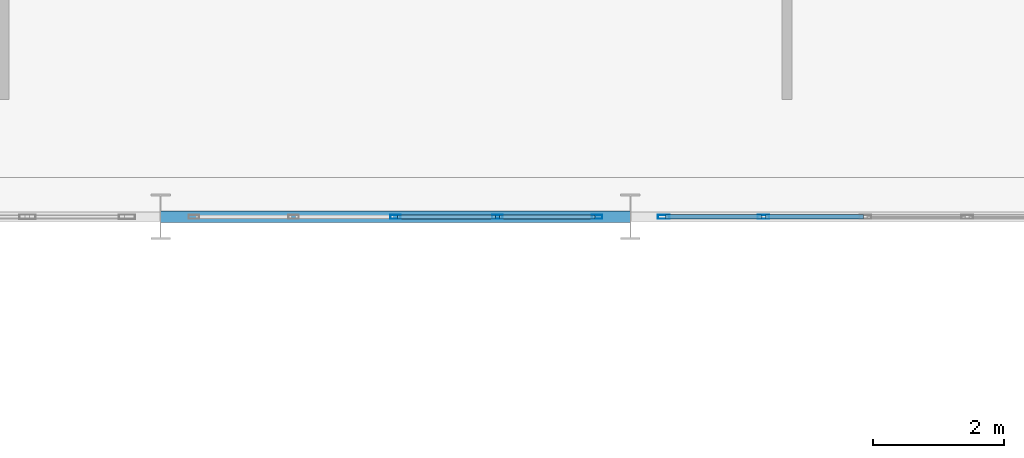
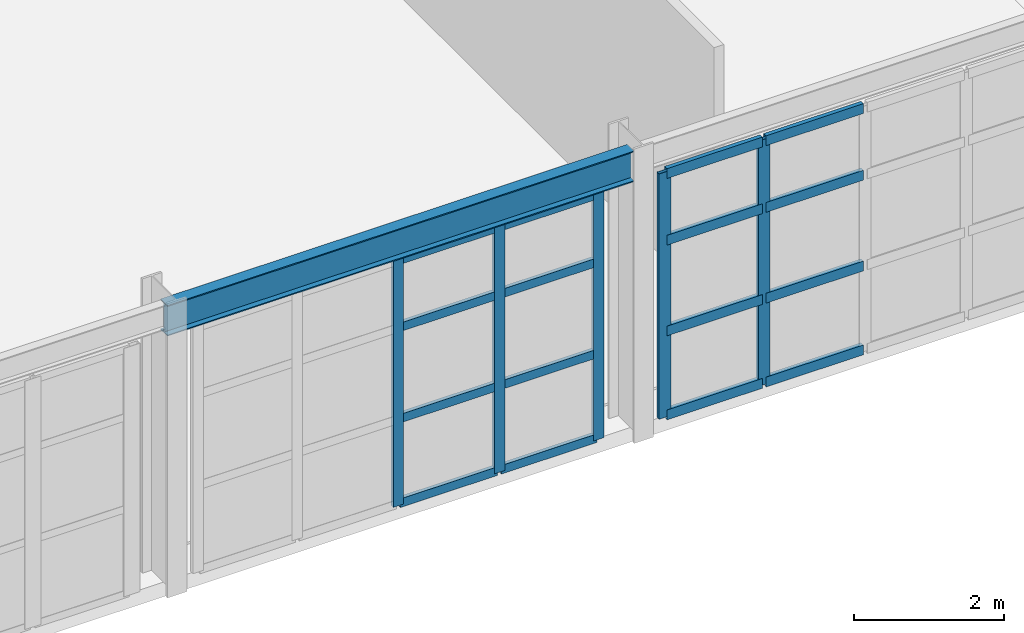
# One storey, part 36 of 126: 21 members, 1 beam, 2 elements without a shape of their own.
"""IFC4 building model written with IfcOpenShell, lengths in metres."""

from ifc_helpers import new_model, si_unit, direction, frame, origin, origin_2d, place, context, subcontext, project, spatial, hollow_rectangle, i_section, extrude, material, layer, layer_set, material_profile, profile_set, type_object, element, aggregate, save


model = new_model("IFC4")

# Units and contexts
model_context = context("Model", 3, precision=1e-05, world=origin(), true_north=direction((0.0, 1.0)))
body_context = subcontext(model_context, "Body", "Model", "MODEL_VIEW")
ifc_project = project(units=[si_unit("LENGTHUNIT", "METRE"), si_unit("AREAUNIT", "SQUARE_METRE"), si_unit("VOLUMEUNIT", "CUBIC_METRE"), si_unit("PLANEANGLEUNIT", "RADIAN"), si_unit("MASSUNIT", "GRAM", prefix="KILO")], contexts=[model_context])

# Site, building, storey
site_placement = place(None, origin())
site = spatial("IfcSite", under=ifc_project, at=site_placement, CompositionType="ELEMENT")
building_placement = place(site_placement, origin())
building = spatial("IfcBuilding", under=site, at=building_placement, Name="Solvadek Multi-Sports Hall", CompositionType="ELEMENT")
storey_placement = place(building_placement, frame((0.0, 0.0, 9.60009765625)))
storey = spatial("IfcBuildingStorey", under=building, at=storey_placement, Name="L02", CompositionType="ELEMENT", Elevation=9.60009765625)

# Curtain wall, members
ifc_material_1 = material(Name="Anodised aluminium", Category="aluminium")
ifc_layer_1 = layer(ifc_material_1, 0.159912109375, Name="Anodised aluminium")
ifc_layer_set_1 = layer_set([ifc_layer_1], Name="Anodised aluminium")
curtain_wall_type_1 = type_object("IfcCurtainWallType", Name="ENV-CW-624X403", PredefinedType="USERDEFINED", material=ifc_layer_set_1)
curtain_wall_1_placement = place(storey_placement, origin())
curtain_wall_1 = element("IfcCurtainWall", 1, at=curtain_wall_1_placement, inside=storey, type_object=curtain_wall_type_1, Name="L02 Perimeter Bay Curtain Wall #167", ObjectType="CURTAIN WALL", PredefinedType="USERDEFINED")
ifc_material_profile_1 = material_profile(ifc_material_1, hollow_rectangle(XDim=0.06005859375, YDim=0.159912109375, WallThickness=0.00390625, at=origin_2d()), Name="ALU-M 160x60x4")
ifc_profile_set_1 = profile_set([ifc_material_profile_1], Name="Anodised aluminium")
member_type_1 = type_object("IfcMemberType", Name="ENV-CWM-01", PredefinedType="MULLION", material=ifc_profile_set_1)
member_1_placement = place(storey_placement, frame((39.60009765625, 49.199951171875, 0.0), z_axis=(0.0, 0.0, 1.0), x_axis=(0.0, 1.0, 0.0)))
member_1 = element("IfcMember", 2, at=member_1_placement, type_object=member_type_1, Name="CW-43 mullion 3", PredefinedType="MULLION", context=body_context, shape_type="SweptSolid", body=[
    extrude(hollow_rectangle(XDim=0.06005859375, YDim=0.159912109375, WallThickness=0.00390625, at=origin_2d()), origin(), (0.0, 0.0, 1.0), 4.02490234375),
])
member_2_placement = place(storey_placement, frame((41.159912109375, 49.199951171875, 0.0), z_axis=(0.0, 0.0, 1.0), x_axis=(0.0, 1.0, 0.0)))
member_2 = element("IfcMember", 3, at=member_2_placement, type_object=member_type_1, Name="CW-43 mullion 4", PredefinedType="MULLION", context=body_context, shape_type="SweptSolid", body=[
    extrude(hollow_rectangle(XDim=0.06005859375, YDim=0.159912109375, WallThickness=0.00390625, at=origin_2d()), origin(), (0.0, 0.0, 1.0), 4.02490234375),
])
member_3_placement = place(storey_placement, frame((42.68994140625, 49.199951171875, 0.0), z_axis=(0.0, 0.0, 1.0), x_axis=(0.0, 1.0, 0.0)))
member_3 = element("IfcMember", 4, at=member_3_placement, type_object=member_type_1, Name="CW-43 mullion 5", PredefinedType="MULLION", context=body_context, shape_type="SweptSolid", body=[
    extrude(hollow_rectangle(XDim=0.06005859375, YDim=0.159912109375, WallThickness=0.00390625, at=origin_2d()), origin(), (0.0, 0.0, 1.0), 4.02490234375),
])

ifc_layer_2 = layer(ifc_material_1, 0.159912109375, Name="Anodised aluminium")
ifc_layer_set_2 = layer_set([ifc_layer_2], Name="Anodised aluminium")
curtain_wall_type_2 = type_object("IfcCurtainWallType", Name="ENV-CW-624X400", PredefinedType="USERDEFINED", material=ifc_layer_set_2)
curtain_wall_2_placement = place(storey_placement, origin())
curtain_wall_2 = element("IfcCurtainWall", 5, at=curtain_wall_2_placement, inside=storey, type_object=curtain_wall_type_2, Name="L02 Perimeter Bay Curtain Wall #173", ObjectType="CURTAIN WALL", PredefinedType="USERDEFINED")
ifc_material_profile_2 = material_profile(ifc_material_1, hollow_rectangle(XDim=0.06005859375, YDim=0.179931640625, WallThickness=0.00390625, at=origin_2d()), Name="ALU-M 180x60x4")
ifc_profile_set_2 = profile_set([ifc_material_profile_2], Name="Anodised aluminium")
member_type_2 = type_object("IfcMemberType", Name="ENV-CWM-02", PredefinedType="MULLION", material=ifc_profile_set_2)
member_4_placement = place(storey_placement, frame((43.7099609375, 49.199951171875, 0.0), z_axis=(0.0, 0.0, 1.0), x_axis=(0.0, 1.0, 0.0)))
member_4 = element("IfcMember", 6, at=member_4_placement, type_object=member_type_2, Name="CW-56 mullion 1", PredefinedType="MULLION", context=body_context, shape_type="SweptSolid", body=[
    extrude(hollow_rectangle(XDim=0.06005859375, YDim=0.179931640625, WallThickness=0.00390625, at=origin_2d()), origin(), (0.0, 0.0, 1.0), 4.0),
])
member_5_placement = place(storey_placement, frame((45.239990234375, 49.199951171875, 0.0), z_axis=(0.0, 0.0, 1.0), x_axis=(0.0, 1.0, 0.0)))
member_5 = element("IfcMember", 7, at=member_5_placement, type_object=member_type_2, Name="CW-56 mullion 2", PredefinedType="MULLION", context=body_context, shape_type="SweptSolid", body=[
    extrude(hollow_rectangle(XDim=0.06005859375, YDim=0.179931640625, WallThickness=0.00390625, at=origin_2d()), origin(), (0.0, 0.0, 1.0), 4.0),
])

# Member
ifc_material_profile_3 = material_profile(ifc_material_1, hollow_rectangle(XDim=0.06005859375, YDim=0.139892578125, WallThickness=0.00390625, at=origin_2d()), Name="ALU-T 140x60x4")
ifc_profile_set_3 = profile_set([ifc_material_profile_3], Name="Anodised aluminium")
member_type_3 = type_object("IfcMemberType", Name="ENV-CWT-02", PredefinedType="USERDEFINED", material=ifc_profile_set_3)
member_6_placement = place(storey_placement, frame((39.6298828125, 49.199951171875, 0.02978515625), z_axis=(1.0, 0.0, 0.0), x_axis=(0.0, 1.0, 0.0)))
member_6 = element("IfcMember", 8, at=member_6_placement, type_object=member_type_3, Name="CW-43 transom 3.1", ObjectType="TRANSOM", PredefinedType="USERDEFINED", context=body_context, shape_type="SweptSolid", body=[
    extrude(hollow_rectangle(XDim=0.06005859375, YDim=0.139892578125, WallThickness=0.00390625, at=origin_2d()), origin(), (0.0, 0.0, 1.0), 1.5),
])

member_7_placement = place(storey_placement, frame((39.6298828125, 49.199951171875, 1.408935546875), z_axis=(1.0, 0.0, 0.0), x_axis=(0.0, 1.0, 0.0)))
member_7 = element("IfcMember", 9, at=member_7_placement, type_object=member_type_3, Name="CW-43 transom 3.2", ObjectType="TRANSOM", PredefinedType="USERDEFINED", context=body_context, shape_type="SweptSolid", body=[
    extrude(hollow_rectangle(XDim=0.06005859375, YDim=0.139892578125, WallThickness=0.00390625, at=origin_2d()), origin(), (0.0, 0.0, 1.0), 1.5),
])

member_8_placement = place(storey_placement, frame((39.6298828125, 49.199951171875, 2.89794921875), z_axis=(1.0, 0.0, 0.0), x_axis=(0.0, 1.0, 0.0)))
member_8 = element("IfcMember", 10, at=member_8_placement, type_object=member_type_3, Name="CW-43 transom 3.3", ObjectType="TRANSOM", PredefinedType="USERDEFINED", context=body_context, shape_type="SweptSolid", body=[
    extrude(hollow_rectangle(XDim=0.06005859375, YDim=0.139892578125, WallThickness=0.00390625, at=origin_2d()), origin(), (0.0, 0.0, 1.0), 1.5),
])

member_9_placement = place(storey_placement, frame((39.6298828125, 49.199951171875, 3.994873046875), z_axis=(1.0, 0.0, 0.0), x_axis=(0.0, 1.0, 0.0)))
member_9 = element("IfcMember", 11, at=member_9_placement, type_object=member_type_3, Name="CW-43 transom 3.4", ObjectType="TRANSOM", PredefinedType="USERDEFINED", context=body_context, shape_type="SweptSolid", body=[
    extrude(hollow_rectangle(XDim=0.06005859375, YDim=0.139892578125, WallThickness=0.00390625, at=origin_2d()), origin(), (0.0, 0.0, 1.0), 1.5),
])

member_10_placement = place(storey_placement, frame((41.18994140625, 49.199951171875, 0.02978515625), z_axis=(1.0, 0.0, 0.0), x_axis=(0.0, 1.0, 0.0)))
member_10 = element("IfcMember", 12, at=member_10_placement, type_object=member_type_3, Name="CW-43 transom 4.1", ObjectType="TRANSOM", PredefinedType="USERDEFINED", context=body_context, shape_type="SweptSolid", body=[
    extrude(hollow_rectangle(XDim=0.06005859375, YDim=0.139892578125, WallThickness=0.00390625, at=origin_2d()), origin(), (0.0, 0.0, 1.0), 1.469970703125),
])

member_11_placement = place(storey_placement, frame((41.18994140625, 49.199951171875, 1.408935546875), z_axis=(1.0, 0.0, 0.0), x_axis=(0.0, 1.0, 0.0)))
member_11 = element("IfcMember", 13, at=member_11_placement, type_object=member_type_3, Name="CW-43 transom 4.2", ObjectType="TRANSOM", PredefinedType="USERDEFINED", context=body_context, shape_type="SweptSolid", body=[
    extrude(hollow_rectangle(XDim=0.06005859375, YDim=0.139892578125, WallThickness=0.00390625, at=origin_2d()), origin(), (0.0, 0.0, 1.0), 1.469970703125),
])

member_12_placement = place(storey_placement, frame((41.18994140625, 49.199951171875, 2.89794921875), z_axis=(1.0, 0.0, 0.0), x_axis=(0.0, 1.0, 0.0)))
member_12 = element("IfcMember", 14, at=member_12_placement, type_object=member_type_3, Name="CW-43 transom 4.3", ObjectType="TRANSOM", PredefinedType="USERDEFINED", context=body_context, shape_type="SweptSolid", body=[
    extrude(hollow_rectangle(XDim=0.06005859375, YDim=0.139892578125, WallThickness=0.00390625, at=origin_2d()), origin(), (0.0, 0.0, 1.0), 1.469970703125),
])

member_13_placement = place(storey_placement, frame((41.18994140625, 49.199951171875, 3.994873046875), z_axis=(1.0, 0.0, 0.0), x_axis=(0.0, 1.0, 0.0)))
member_13 = element("IfcMember", 15, at=member_13_placement, type_object=member_type_3, Name="CW-43 transom 4.4", ObjectType="TRANSOM", PredefinedType="USERDEFINED", context=body_context, shape_type="SweptSolid", body=[
    extrude(hollow_rectangle(XDim=0.06005859375, YDim=0.139892578125, WallThickness=0.00390625, at=origin_2d()), origin(), (0.0, 0.0, 1.0), 1.469970703125),
])

aggregate(curtain_wall_1, [member_1, member_2, member_3, member_6, member_7, member_8, member_9, member_10, member_11, member_12, member_13])

ifc_material_profile_4 = material_profile(ifc_material_1, hollow_rectangle(XDim=0.06494140625, YDim=0.159912109375, WallThickness=0.00390625, at=origin_2d()), Name="ALU-T 160x65x4")
ifc_profile_set_4 = profile_set([ifc_material_profile_4], Name="Anodised aluminium")
member_type_4 = type_object("IfcMemberType", Name="ENV-CWT-03", PredefinedType="USERDEFINED", material=ifc_profile_set_4)
member_14_placement = place(storey_placement, frame((43.739990234375, 49.199951171875, 0.032470703125), z_axis=(1.0, 0.0, 0.0), x_axis=(0.0, 1.0, 0.0)))
member_14 = element("IfcMember", 16, at=member_14_placement, type_object=member_type_4, Name="CW-56 transom 1.1", ObjectType="TRANSOM", PredefinedType="USERDEFINED", context=body_context, shape_type="SweptSolid", body=[
    extrude(hollow_rectangle(XDim=0.06494140625, YDim=0.159912109375, WallThickness=0.00390625, at=origin_2d()), origin(), (0.0, 0.0, 1.0), 1.469970703125),
])

member_15_placement = place(storey_placement, frame((43.739990234375, 49.199951171875, 1.39990234375), z_axis=(1.0, 0.0, 0.0), x_axis=(0.0, 1.0, 0.0)))
member_15 = element("IfcMember", 17, at=member_15_placement, type_object=member_type_4, Name="CW-56 transom 1.2", ObjectType="TRANSOM", PredefinedType="USERDEFINED", context=body_context, shape_type="SweptSolid", body=[
    extrude(hollow_rectangle(XDim=0.06494140625, YDim=0.159912109375, WallThickness=0.00390625, at=origin_2d()), origin(), (0.0, 0.0, 1.0), 1.469970703125),
])

member_16_placement = place(storey_placement, frame((43.739990234375, 49.199951171875, 2.8798828125), z_axis=(1.0, 0.0, 0.0), x_axis=(0.0, 1.0, 0.0)))
member_16 = element("IfcMember", 18, at=member_16_placement, type_object=member_type_4, Name="CW-56 transom 1.3", ObjectType="TRANSOM", PredefinedType="USERDEFINED", context=body_context, shape_type="SweptSolid", body=[
    extrude(hollow_rectangle(XDim=0.06494140625, YDim=0.159912109375, WallThickness=0.00390625, at=origin_2d()), origin(), (0.0, 0.0, 1.0), 1.469970703125),
])

member_17_placement = place(storey_placement, frame((43.739990234375, 49.199951171875, 3.96728515625), z_axis=(1.0, 0.0, 0.0), x_axis=(0.0, 1.0, 0.0)))
member_17 = element("IfcMember", 19, at=member_17_placement, type_object=member_type_4, Name="CW-56 transom 1.4", ObjectType="TRANSOM", PredefinedType="USERDEFINED", context=body_context, shape_type="SweptSolid", body=[
    extrude(hollow_rectangle(XDim=0.06494140625, YDim=0.159912109375, WallThickness=0.00390625, at=origin_2d()), origin(), (0.0, 0.0, 1.0), 1.469970703125),
])

member_18_placement = place(storey_placement, frame((45.27001953125, 49.199951171875, 0.032470703125), z_axis=(1.0, 0.0, 0.0), x_axis=(0.0, 1.0, 0.0)))
member_18 = element("IfcMember", 20, at=member_18_placement, type_object=member_type_4, Name="CW-56 transom 2.1", ObjectType="TRANSOM", PredefinedType="USERDEFINED", context=body_context, shape_type="SweptSolid", body=[
    extrude(hollow_rectangle(XDim=0.06494140625, YDim=0.159912109375, WallThickness=0.00390625, at=origin_2d()), origin(), (0.0, 0.0, 1.0), 1.5),
])

member_19_placement = place(storey_placement, frame((45.27001953125, 49.199951171875, 1.39990234375), z_axis=(1.0, 0.0, 0.0), x_axis=(0.0, 1.0, 0.0)))
member_19 = element("IfcMember", 21, at=member_19_placement, type_object=member_type_4, Name="CW-56 transom 2.2", ObjectType="TRANSOM", PredefinedType="USERDEFINED", context=body_context, shape_type="SweptSolid", body=[
    extrude(hollow_rectangle(XDim=0.06494140625, YDim=0.159912109375, WallThickness=0.00390625, at=origin_2d()), origin(), (0.0, 0.0, 1.0), 1.5),
])

member_20_placement = place(storey_placement, frame((45.27001953125, 49.199951171875, 2.8798828125), z_axis=(1.0, 0.0, 0.0), x_axis=(0.0, 1.0, 0.0)))
member_20 = element("IfcMember", 22, at=member_20_placement, type_object=member_type_4, Name="CW-56 transom 2.3", ObjectType="TRANSOM", PredefinedType="USERDEFINED", context=body_context, shape_type="SweptSolid", body=[
    extrude(hollow_rectangle(XDim=0.06494140625, YDim=0.159912109375, WallThickness=0.00390625, at=origin_2d()), origin(), (0.0, 0.0, 1.0), 1.5),
])

member_21_placement = place(storey_placement, frame((45.27001953125, 49.199951171875, 3.96728515625), z_axis=(1.0, 0.0, 0.0), x_axis=(0.0, 1.0, 0.0)))
member_21 = element("IfcMember", 23, at=member_21_placement, type_object=member_type_4, Name="CW-56 transom 2.4", ObjectType="TRANSOM", PredefinedType="USERDEFINED", context=body_context, shape_type="SweptSolid", body=[
    extrude(hollow_rectangle(XDim=0.06494140625, YDim=0.159912109375, WallThickness=0.00390625, at=origin_2d()), origin(), (0.0, 0.0, 1.0), 1.5),
])

aggregate(curtain_wall_2, [member_4, member_5, member_14, member_15, member_16, member_17, member_18, member_19, member_20, member_21])

# Beam
ifc_material_2 = material(Name="Steel E350 (350 MPa)", Category="steel")
ifc_material_profile_5 = material_profile(ifc_material_2, i_section(OverallWidth=0.179931640625, OverallDepth=0.5, WebThickness=0.01025390625, FlangeThickness=0.01708984375, at=origin_2d()), Name="ISMB 500")
ifc_profile_set_5 = profile_set([ifc_material_profile_5], Name="Steel E350 (350 MPa)")
beam_type = type_object("IfcBeamType", Name="STR-BM-ISMB500", PredefinedType="BEAM", material=ifc_profile_set_5)
beam_placement = place(storey_placement, frame((36.0, 49.199951171875, 4.309814453125), z_axis=(1.0, 0.0, 0.0), x_axis=(0.0, 1.0, 0.0)))
element("IfcBeam", 24, at=beam_placement, inside=storey, type_object=beam_type, Name="L02 Girder B-07 #1370", PredefinedType="BEAM", context=body_context, shape_type="SweptSolid", body=[
    extrude(i_section(OverallWidth=0.179931640625, OverallDepth=0.5, WebThickness=0.01025390625, FlangeThickness=0.01708984375, at=origin_2d()), origin(), (0.0, 0.0, 1.0), 7.199951171875),
])

save(model, "model.ifc")
